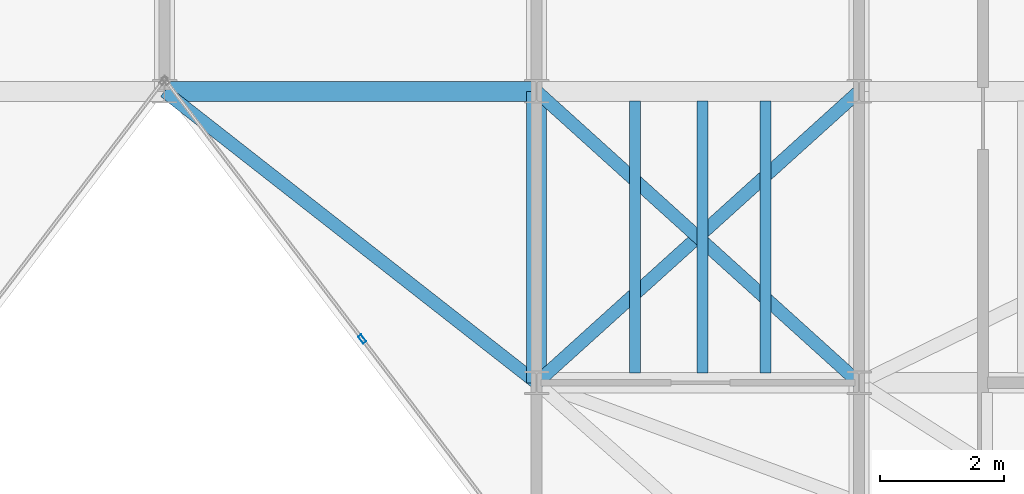
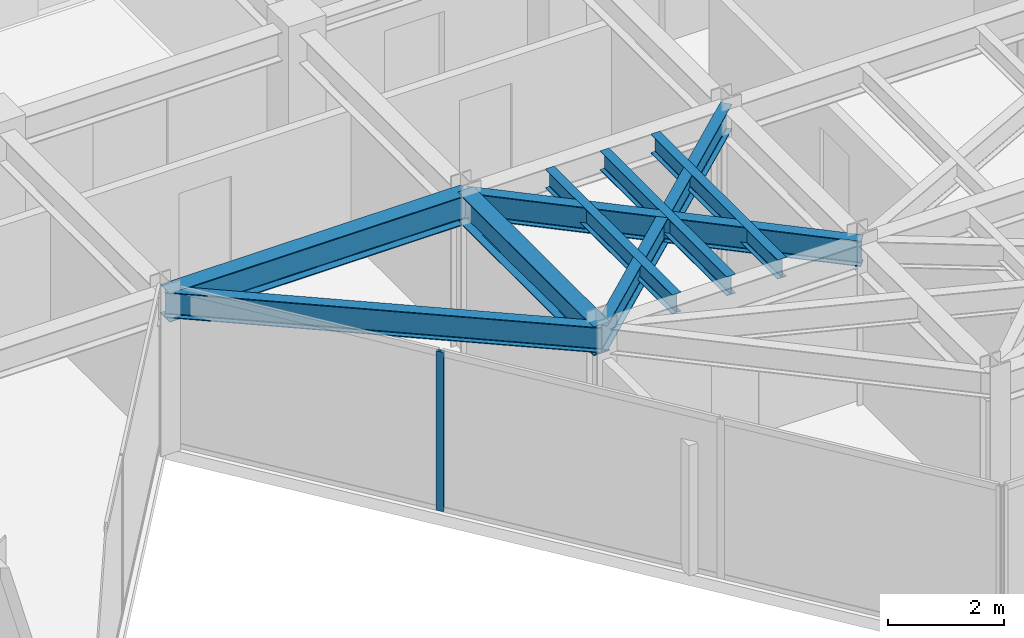
# One storey, part 8 of 17: 8 beams, 1 member, 1 element without a shape of its own.
"""IFC4 building model written with IfcOpenShell, lengths in metres."""

from ifc_helpers import new_model, si_unit, direction, frame, origin, origin_2d, place, context, subcontext, project, spatial, hollow_rectangle, i_section, extrude, material, layer, layer_set, material_profile, profile_set, type_object, element, aggregate, save


model = new_model("IFC4")

# Units and contexts
model_context = context("Model", 3, precision=1e-05, world=origin(), true_north=direction((0.0, 1.0)))
body_context = subcontext(model_context, "Body", "Model", "MODEL_VIEW")
ifc_project = project(units=[si_unit("LENGTHUNIT", "METRE"), si_unit("AREAUNIT", "SQUARE_METRE"), si_unit("VOLUMEUNIT", "CUBIC_METRE"), si_unit("PLANEANGLEUNIT", "RADIAN"), si_unit("MASSUNIT", "GRAM", prefix="KILO")], contexts=[model_context])

# Site, building, storey
site_placement = place(None, origin())
site = spatial("IfcSite", under=ifc_project, at=site_placement, CompositionType="ELEMENT")
building_placement = place(site_placement, origin())
building = spatial("IfcBuilding", under=site, at=building_placement, Name="Kravanh Interchange Tower", CompositionType="ELEMENT")
storey_placement = place(building_placement, frame((0.0, 0.0, 289.5)))
storey = spatial("IfcBuildingStorey", under=building, at=storey_placement, Name="L71", CompositionType="ELEMENT", Elevation=289.5)

# Curtain wall, member
ifc_material_1 = material(Name="Anodised Bronze Aluminium", Category="aluminium")
ifc_layer = layer(ifc_material_1, 0.179931640625)
ifc_layer_set = layer_set([ifc_layer], Name="Unitised Curtain Wall System CW-HTL Luxury Hotel")
curtain_wall_type = type_object("IfcCurtainWallType", Name="Unitised Curtain Wall System CW-HTL Luxury Hotel", PredefinedType="NOTDEFINED", material=ifc_layer_set)
curtain_wall_placement = place(storey_placement, origin())
curtain_wall = element("IfcCurtainWall", 1, at=curtain_wall_placement, inside=storey, type_object=curtain_wall_type, Name="L71 Unitised Curtain Wall CW-L71-04", PredefinedType="NOTDEFINED")
ifc_material_2 = material(Name="Anodised Bronze Aluminium", Category="aluminium")
ifc_material_profile_1 = material_profile(ifc_material_2, hollow_rectangle(XDim=0.06005859375, YDim=0.139892578125, WallThickness=0.00390625, at=origin_2d()), Name="ALU60X140X4")
ifc_profile_set_1 = profile_set([ifc_material_profile_1], Name="Anodised Bronze Aluminium")
member_type = type_object("IfcMemberType", Name="Curtain Wall Mullion ALU60X140X4 Bronze", PredefinedType="MULLION", material=ifc_profile_set_1)
member_placement = place(storey_placement, frame((47.986572265625, 27.505615234375, 0.0), z_axis=(0.0, 0.0, 1.0), x_axis=(-0.79616243806, -0.605082946564, 0.0)))
member = element("IfcMember", 2, at=member_placement, type_object=member_type, Name="CW-HTL mullion 3", PredefinedType="MULLION", context=body_context, shape_type="SweptSolid", body=[
    extrude(hollow_rectangle(XDim=0.06005859375, YDim=0.139892578125, WallThickness=0.00390625, at=origin_2d()), origin(), (0.0, 0.0, 1.0), 3.364990234375),
])
aggregate(curtain_wall, [member])

# Beams
ifc_material_3 = material(Name="Structural Steel S355", Category="steel")
ifc_material_profile_2 = material_profile(ifc_material_3, i_section(OverallWidth=0.323974609375, OverallDepth=0.611083984375, WebThickness=0.0126953125, FlangeThickness=0.01904296875, FilletRadius=0.02197265625, at=origin_2d()), Name="W24X104")
ifc_profile_set_2 = profile_set([ifc_material_profile_2], Name="Structural Steel S355")
beam_type_1 = type_object("IfcBeamType", Name="Floor Beam W24X104 Structural Steel S355", PredefinedType="BEAM", material=ifc_profile_set_2)
beam_1_placement = place(storey_placement, frame((44.800048828125, 31.5, 3.0595703125), z_axis=(1.0, 0.0, 0.0), x_axis=(0.0, 1.0, 0.0)))
element("IfcBeam", 3, at=beam_1_placement, inside=storey, type_object=beam_type_1, Name="L71 Primary Floor Girder 2", PredefinedType="BEAM", context=body_context, shape_type="SweptSolid", body=[
    extrude(i_section(OverallWidth=0.323974609375, OverallDepth=0.611083984375, WebThickness=0.0126953125, FlangeThickness=0.01904296875, FilletRadius=0.02197265625, at=origin_2d()), origin(), (0.0, 0.0, 1.0), 6.0),
])
beam_2_placement = place(storey_placement, frame((50.800048828125, 31.5, 3.0595703125), z_axis=(0.0, -1.0, 0.0), x_axis=(1.0, 0.0, 0.0)))
element("IfcBeam", 4, at=beam_2_placement, inside=storey, type_object=beam_type_1, Name="L71 Primary Floor Girder 5", PredefinedType="BEAM", context=body_context, shape_type="SweptSolid", body=[
    extrude(i_section(OverallWidth=0.323974609375, OverallDepth=0.611083984375, WebThickness=0.0126953125, FlangeThickness=0.01904296875, FilletRadius=0.02197265625, at=origin_2d()), origin(), (0.0, 0.0, 1.0), 4.699951171875),
])
ifc_material_4 = material(Name="Structural Steel S355", Category="steel")
ifc_material_profile_3 = material_profile(ifc_material_4, i_section(OverallWidth=0.177978515625, OverallDepth=0.406005859375, WebThickness=0.0078125, FlangeThickness=0.0126953125, FilletRadius=0.01611328125, at=origin_2d()), Name="W16X40")
ifc_profile_set_3 = profile_set([ifc_material_profile_3], Name="Structural Steel S355")
beam_type_2 = type_object("IfcBeamType", Name="Floor Joist W16X40 Structural Steel S355", PredefinedType="JOIST", material=ifc_profile_set_3)
for number, where, z_axis, x_axis, name in (
    (5, (52.385986328125, 26.95703125, 3.162109375), (0.0, 1.0, 0.0), (-1.0, 0.0, 0.0), "L71 Secondary Floor Joist 7"),
    (6, (53.47802734375, 26.95703125, 3.162109375), (0.0, 1.0, 0.0), (-1.0, 0.0, 0.0), "L71 Secondary Floor Joist 8"),
    (7, (54.491943359375, 26.95703125, 3.162109375), (0.0, 1.0, 0.0), (-1.0, 0.0, 0.0), "L71 Secondary Floor Joist 9"),
):
    element("IfcBeam", number, at=place(storey_placement, frame(where, z_axis=z_axis, x_axis=x_axis)), inside=storey, type_object=beam_type_2, Name=name, PredefinedType="JOIST", context=body_context, shape_type="SweptSolid", body=[
        extrude(i_section(OverallWidth=0.177978515625, OverallDepth=0.406005859375, WebThickness=0.0078125, FlangeThickness=0.0126953125, FilletRadius=0.01611328125, at=origin_2d()), origin(), (0.0, 0.0, 1.0), 4.385986328125),
    ])
ifc_material_5 = material(Name="Structural Steel S355", Category="steel")
ifc_material_profile_4 = material_profile(ifc_material_5, i_section(OverallWidth=0.2099609375, OverallDepth=0.537109375, WebThickness=0.010986328125, FlangeThickness=0.017333984375, FilletRadius=0.02001953125, at=origin_2d()), Name="W21X68")
ifc_profile_set_4 = profile_set([ifc_material_profile_4], Name="Structural Steel S355")
beam_type_3 = type_object("IfcBeamType", Name="Floor Spandrel W21X68 Structural Steel S355", PredefinedType="SPANDREL", material=ifc_profile_set_4)
beam_3_placement = place(storey_placement, frame((44.800048828125, 31.5, 3.096435546875), z_axis=(0.787231163579, -0.616658004967, 0.0), x_axis=(0.616658004967, 0.787231163579, 0.0)))
element("IfcBeam", 8, at=beam_3_placement, inside=storey, type_object=beam_type_3, Name="L71 Perimeter Spandrel 4", PredefinedType="SPANDREL", context=body_context, shape_type="SweptSolid", body=[
    extrude(i_section(OverallWidth=0.2099609375, OverallDepth=0.537109375, WebThickness=0.010986328125, FlangeThickness=0.017333984375, FilletRadius=0.02001953125, at=origin_2d()), origin(), (0.0, 0.0, 1.0), 7.62158203125),
])
for number, where, z_axis, x_axis, name in (
    (9, (50.800048828125, 31.5, 3.096435546875), (0.741874009795, -0.670539300557, 0.0), (0.670539300557, 0.741874009795, 0.0), "L71 Perimeter Spandrel 8"),
    (10, (56.0, 31.5, 3.096435546875), (-0.741874009795, -0.670539300557, 0.0), (0.670539300557, -0.741874009795, 0.0), "L71 Perimeter Spandrel 11"),
):
    element("IfcBeam", number, at=place(storey_placement, frame(where, z_axis=z_axis, x_axis=x_axis)), inside=storey, type_object=beam_type_3, Name=name, PredefinedType="SPANDREL", context=body_context, shape_type="SweptSolid", body=[
        extrude(i_section(OverallWidth=0.2099609375, OverallDepth=0.537109375, WebThickness=0.010986328125, FlangeThickness=0.017333984375, FilletRadius=0.02001953125, at=origin_2d()), origin(), (0.0, 0.0, 1.0), 7.00927734375),
    ])

save(model, "model.ifc")
